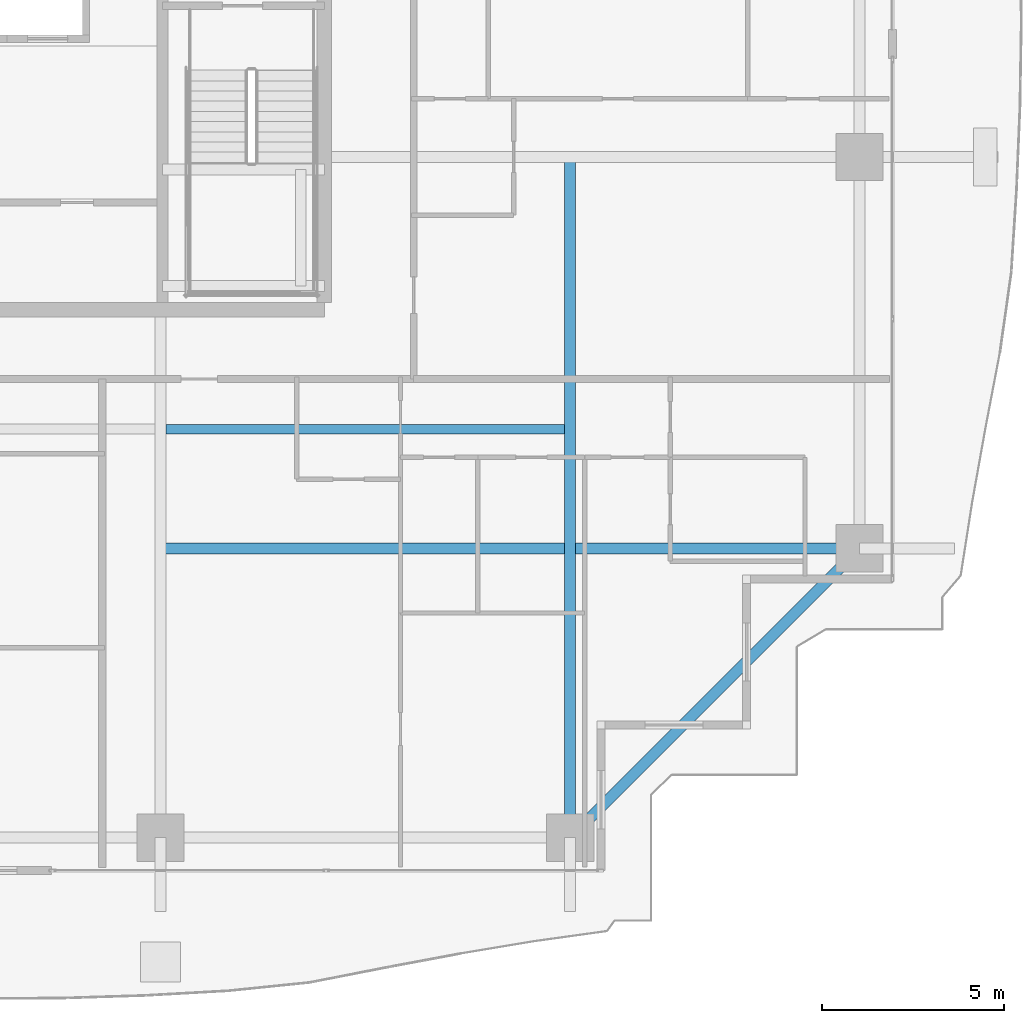
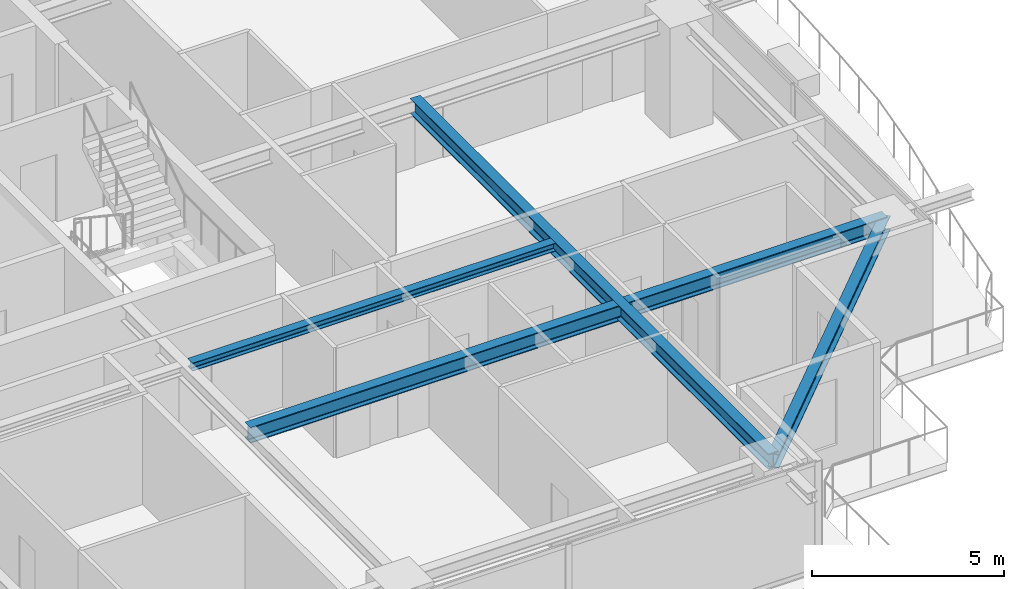
# One storey, part 12 of 38: 4 beams.
"""IFC4 building model written with IfcOpenShell, lengths in metres."""

from ifc_helpers import new_model, si_unit, direction, frame, origin, origin_2d, place, context, subcontext, project, spatial, i_section, extrude, source, transform, mapped, material, material_profile, profile_set, type_object, element, save


model = new_model("IFC4")

# Units and contexts
model_context = context("Model", 3, precision=1e-05, world=origin(), true_north=direction((0.0, 1.0)))
body_context = subcontext(model_context, "Body", "Model", "MODEL_VIEW")
ifc_project = project(units=[si_unit("LENGTHUNIT", "METRE"), si_unit("AREAUNIT", "SQUARE_METRE"), si_unit("VOLUMEUNIT", "CUBIC_METRE"), si_unit("PLANEANGLEUNIT", "RADIAN"), si_unit("MASSUNIT", "GRAM", prefix="KILO")], contexts=[model_context])

# Site, building, storey
site_placement = place(None, origin())
site = spatial("IfcSite", under=ifc_project, at=site_placement, CompositionType="ELEMENT")
building_placement = place(site_placement, origin())
building = spatial("IfcBuilding", under=site, at=building_placement, Name="Serunith Strait Residences", CompositionType="ELEMENT")
storey_placement = place(building_placement, frame((0.0, 0.0, 176.39990234375)))
storey = spatial("IfcBuildingStorey", under=building, at=storey_placement, Name="L44", CompositionType="ELEMENT", Elevation=176.39990234375)

# Beams
ifc_material = material(Name="Steel S355J2", Category="steel")
ifc_material_profile_1 = material_profile(ifc_material, i_section(OverallWidth=0.300048828125, OverallDepth=0.5, WebThickness=0.014404296875, FlangeThickness=0.028076171875, FilletRadius=0.027099609375, at=origin_2d()), Name="HEB 500")
ifc_profile_set_1 = profile_set([ifc_material_profile_1], Name="Steel S355J2")
beam_type_1 = type_object("IfcBeamType", Name="BM-HEB500", PredefinedType="BEAM", material=ifc_profile_set_1)
shared_shape_1 = source(origin(), body_context, "Body", "SweptSolid", [
    extrude(i_section(OverallWidth=0.300048828125, OverallDepth=0.5, WebThickness=0.014404296875, FlangeThickness=0.028076171875, FilletRadius=0.027099609375, at=origin_2d()), origin(), (0.0, 0.0, 1.0), 18.699951171875),
])
beam_1_placement = place(storey_placement, frame((48.14990234375, 21.0, 3.237060546875), z_axis=(0.0, -1.0, 0.0), x_axis=(1.0, 0.0, 0.0)))
element("IfcBeam", 1, at=beam_1_placement, inside=storey, type_object=beam_type_1, Name="L44 Orthogonal Corner Girder TC-S4", PredefinedType="BEAM", context=body_context, shape_type="MappedRepresentation", body=[
    mapped(shared_shape_1, transform((0.0, 0.0, 0.0), scale=1.0)),
])
shared_shape_2 = source(origin(), body_context, "Body", "SweptSolid", [
    extrude(i_section(OverallWidth=0.300048828125, OverallDepth=0.5, WebThickness=0.014404296875, FlangeThickness=0.028076171875, FilletRadius=0.027099609375, at=origin_2d()), origin(), (0.0, 0.0, 1.0), 19.2001953125),
])
beam_2_placement = place(storey_placement, frame((36.89990234375, 10.25, 3.237060546875), z_axis=(1.0, 0.0, 0.0), x_axis=(0.0, 1.0, 0.0)))
element("IfcBeam", 2, at=beam_2_placement, inside=storey, type_object=beam_type_1, Name="L44 Orthogonal Corner Girder TC-E1", PredefinedType="BEAM", context=body_context, shape_type="MappedRepresentation", body=[
    mapped(shared_shape_2, transform((0.0, 0.0, 0.0), scale=1.0)),
])
ifc_material_profile_2 = material_profile(ifc_material, i_section(OverallWidth=0.300048828125, OverallDepth=0.449951171875, WebThickness=0.013916015625, FlangeThickness=0.02587890625, FilletRadius=0.027099609375, at=origin_2d()), Name="HEB 450")
ifc_profile_set_2 = profile_set([ifc_material_profile_2], Name="Steel S355J2")
beam_type_2 = type_object("IfcBeamType", Name="BM-HEB450", PredefinedType="BEAM", material=ifc_profile_set_2)
shared_shape_3 = source(origin(), body_context, "Body", "SweptSolid", [
    extrude(i_section(OverallWidth=0.300048828125, OverallDepth=0.449951171875, WebThickness=0.013916015625, FlangeThickness=0.02587890625, FilletRadius=0.027099609375, at=origin_2d()), origin(), (0.0, 0.0, 1.0), 11.2431640625),
])
beam_3_placement = place(storey_placement, frame((48.14990234375, 2.300048828125, 3.232177734375), z_axis=(0.707117638455, 0.707095923751, 0.0), x_axis=(-0.707095923751, 0.707117638455, 0.0)))
element("IfcBeam", 3, at=beam_3_placement, inside=storey, type_object=beam_type_2, Name="L44 Perimeter Ring Beam 04", PredefinedType="BEAM", context=body_context, shape_type="MappedRepresentation", body=[
    mapped(shared_shape_3, transform((0.0, 0.0, 0.0), scale=1.0)),
])
ifc_material_profile_3 = material_profile(ifc_material, i_section(OverallWidth=0.260009765625, OverallDepth=0.260009765625, WebThickness=0.010009765625, FlangeThickness=0.017578125, FilletRadius=0.02392578125, at=origin_2d()), Name="HEB 260")
ifc_profile_set_3 = profile_set([ifc_material_profile_3], Name="Steel S355J2")
beam_type_3 = type_object("IfcBeamType", Name="BM-HEB260", PredefinedType="JOIST", material=ifc_profile_set_3)
shared_shape_4 = source(origin(), body_context, "Body", "SweptSolid", [
    extrude(i_section(OverallWidth=0.260009765625, OverallDepth=0.260009765625, WebThickness=0.010009765625, FlangeThickness=0.017578125, FilletRadius=0.02392578125, at=origin_2d()), origin(), (0.0, 0.0, 1.0), 10.949951171875),
])
beam_4_placement = place(storey_placement, frame((37.050048828125, 13.52490234375, 3.357177734375), z_axis=(1.0, 0.0, 0.0), x_axis=(0.0, 1.0, 0.0)))
element("IfcBeam", 4, at=beam_4_placement, inside=storey, type_object=beam_type_3, Name="L44 Composite Floor Joist 03", PredefinedType="JOIST", context=body_context, shape_type="MappedRepresentation", body=[
    mapped(shared_shape_4, transform((0.0, 0.0, 0.0), scale=1.0)),
])

save(model, "model.ifc")
